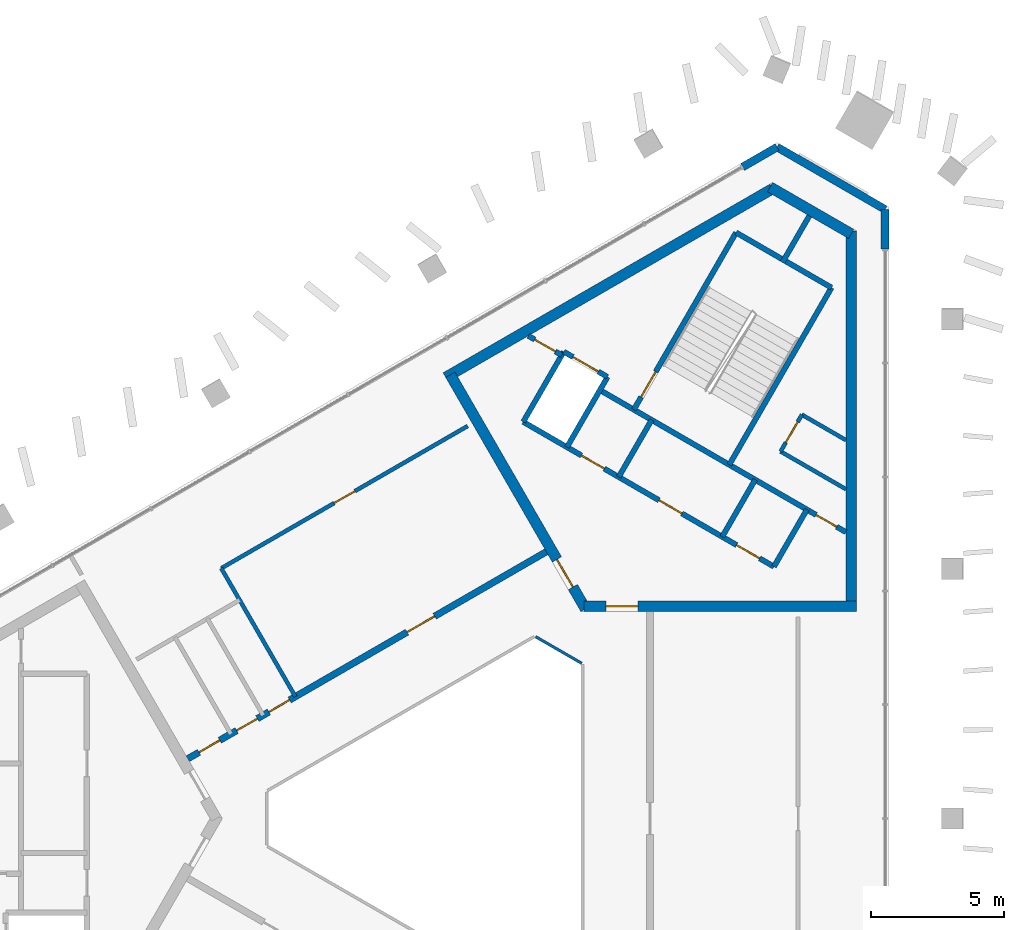
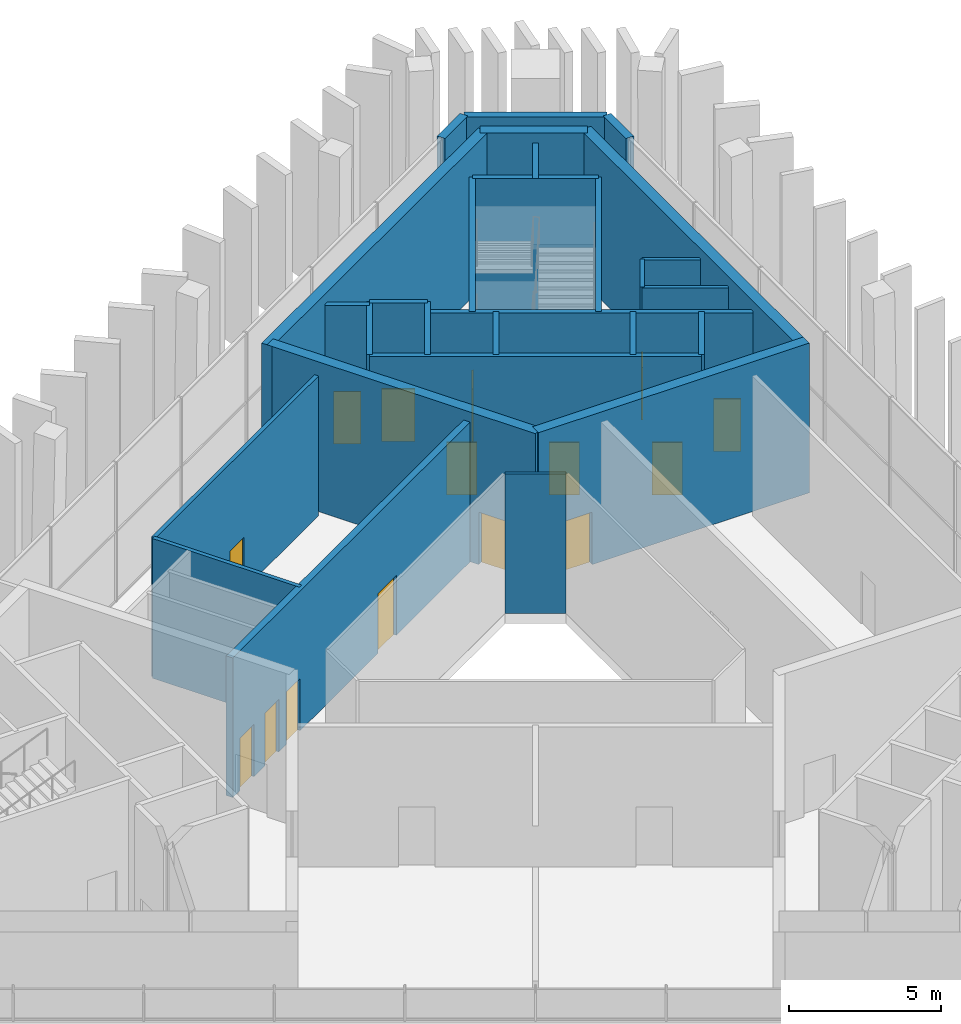
# One storey, part 9 of 12: 28 walls, 15 doors, 15 openings.
"""IFC4 building model written with IfcOpenShell, lengths in metres."""

from ifc_helpers import new_model, si_unit, direction, frame, frame_2d, origin, place, context, subcontext, project, spatial, rectangle, extrude, material, layer, layer_set, type_object, element, fill, save


model = new_model("IFC4")

# Units and contexts
model_context = context("Model", 3, precision=1e-05, world=origin(), true_north=direction((0.0, 1.0)))
body_context = subcontext(model_context, "Body", "Model", "MODEL_VIEW")
ifc_project = project(units=[si_unit("LENGTHUNIT", "METRE"), si_unit("AREAUNIT", "SQUARE_METRE"), si_unit("VOLUMEUNIT", "CUBIC_METRE"), si_unit("PLANEANGLEUNIT", "RADIAN"), si_unit("MASSUNIT", "GRAM", prefix="KILO")], contexts=[model_context])

# Site, building, storey
site_placement = place(None, origin())
site = spatial("IfcSite", under=ifc_project, at=site_placement, CompositionType="ELEMENT")
building_placement = place(site_placement, origin())
building = spatial("IfcBuilding", under=site, at=building_placement, Name="Jabali Bay Hotel Tower and Convention Centre", CompositionType="ELEMENT")
storey_placement = place(building_placement, frame((0.0, 0.0, 304.800048828125)))
storey = spatial("IfcBuildingStorey", under=building, at=storey_placement, Name="L75", CompositionType="ELEMENT", Elevation=304.800048828125)

# Walls
ifc_material_1 = material(Name="Fire-resistant glazing", Category="glass")
ifc_layer_1 = layer(ifc_material_1, 0.10009765625)
ifc_layer_set_1 = layer_set([ifc_layer_1], Name="Fire-resistant glazing")
wall_type_1 = type_object("IfcWallType", Name="Atrium glazed screen 100", PredefinedType="PARTITIONING", material=ifc_layer_set_1)
wall_1_placement = place(storey_placement, frame((79.530029296875, 85.84619140625, 0.0), z_axis=(0.0, 0.0, 1.0), x_axis=(-0.866041268327, 0.499972520799, 0.0)))
element("IfcWall", 1, at=wall_1_placement, inside=storey, type_object=wall_type_1, Name="Atrium screen 2 L75", PredefinedType="PARTITIONING", context=body_context, shape_type="SweptSolid", body=[
    extrude(rectangle(XDim=2.0, YDim=0.10009765625, at=frame_2d((1.0, 0.0))), origin(), (0.0, 0.0, 1.0), 5.599853515625),
])
ifc_material_2 = material(Name="Concrete C40", Category="concrete")
ifc_layer_2 = layer(ifc_material_2, 0.199951171875)
ifc_layer_set_2 = layer_set([ifc_layer_2], Name="Concrete C40")
wall_type_2 = type_object("IfcWallType", Name="Core partition wall 200", PredefinedType="PARTITIONING", material=ifc_layer_set_2)
wall_2_placement = place(storey_placement, frame((87.090087890625, 100.9404296875, 0.0), z_axis=(0.0, 0.0, 1.0), x_axis=(0.499941815747, 0.866058993873, 0.0)))
element("IfcWall", 2, at=wall_2_placement, inside=storey, type_object=wall_type_2, Name="Core wall 1.4 L75", PredefinedType="PARTITIONING", context=body_context, shape_type="SweptSolid", body=[
    extrude(rectangle(XDim=2.023193359375, YDim=0.199951171875, at=frame_2d((1.01171875, 0.0))), origin(), (0.0, 0.0, 1.0), 5.599853515625),
])

# Wall, opening, door
wall_3_placement = place(storey_placement, frame((78.7802734375, 97.447509765625, 0.0), z_axis=(0.0, 0.0, 1.0), x_axis=(-0.866045896294, 0.499964504253, 0.0)))
wall_3 = element("IfcWall", 3, at=wall_3_placement, inside=storey, type_object=wall_type_2, Name="Core wall 1.11 L75", PredefinedType="PARTITIONING", context=body_context, shape_type="SweptSolid", body=[
    extrude(rectangle(XDim=1.455078125, YDim=0.199951171875, at=frame_2d((0.7275390625, 0.0))), origin(), (0.0, 0.0, 1.0), 5.599853515625),
])
opening_1_placement = place(wall_3_placement, frame((0.277587890625, 0.0, 0.0)))
opening_1 = element("IfcOpeningElement", 4, at=opening_1_placement, cuts=wall_3, Name="Opening D1674", PredefinedType="OPENING", context=body_context, shape_type="SweptSolid", body=[
    extrude(rectangle(XDim=0.89990234375, YDim=2.10009765625, at=frame_2d((0.449951171875, 1.050048828125))), frame((0.0, 0.1103515625, 0.0), z_axis=(0.0, -1.0, 0.0), x_axis=(1.0, 0.0, 0.0)), (0.0, 0.0, 1.0), 0.220947265625),
])
ifc_material_3 = material(Name="Fire-rated steel door", Category="steel")
door_type_1 = type_object("IfcDoorType", Name="Vestibule fire door 900 x 2100", OperationType="NOTDEFINED", PredefinedType="NOTDEFINED", material=ifc_material_3)
door_1_placement = place(opening_1_placement, origin())
door_1 = element("IfcDoor", 5, at=door_1_placement, inside=storey, type_object=door_type_1, Name="Vestibule fire door D1674", OperationType="SINGLE_SWING_LEFT", OverallHeight=2.10009765625, OverallWidth=0.89990234375, PredefinedType="NOTDEFINED", context=body_context, shape_type="SweptSolid", body=[
    extrude(rectangle(XDim=0.89990234375, YDim=2.10009765625, at=frame_2d((0.449951171875, 1.050048828125))), frame((0.0, 0.02490234375, 0.0), z_axis=(0.0, -1.0, 0.0), x_axis=(1.0, 0.0, 0.0)), (0.0, 0.0, 1.0), 0.050048828125),
])
fill(opening_1, door_1)

ifc_material_4 = material(Name="Fire-rated board partition")
ifc_layer_3 = layer(ifc_material_4, 0.14990234375)
ifc_layer_set_3 = layer_set([ifc_layer_3], Name="Fire-rated board partition")
wall_type_3 = type_object("IfcWallType", Name="Core room partition 150", PredefinedType="PARTITIONING", material=ifc_layer_set_3)
wall_4_placement = place(storey_placement, frame((87.02099609375, 93.821044921875, 0.0), z_axis=(0.0, 0.0, 1.0), x_axis=(0.499995408039, 0.866028054938, 0.0)))
wall_4 = element("IfcWall", 6, at=wall_4_placement, inside=storey, type_object=wall_type_3, Name="Core wall 1.1 L75", PredefinedType="PARTITIONING", context=body_context, shape_type="SweptSolid", body=[
    extrude(rectangle(XDim=1.60009765625, YDim=0.14990234375, at=frame_2d((0.800048828125, 0.0))), origin(), (0.0, 0.0, 1.0), 5.599853515625),
])
opening_2_placement = place(wall_4_placement, frame((0.387451171875, 0.0, 0.0)))
opening_2 = element("IfcOpeningElement", 7, at=opening_2_placement, cuts=wall_4, Name="Opening D1677", PredefinedType="OPENING", context=body_context, shape_type="SweptSolid", body=[
    extrude(rectangle(XDim=0.89990234375, YDim=2.10009765625, at=frame_2d((0.449951171875, 1.050048828125))), frame((0.0, 0.08544921875, 0.0), z_axis=(0.0, -1.0, 0.0), x_axis=(1.0, 0.0, 0.0)), (0.0, 0.0, 1.0), 0.1708984375),
])
door_type_2 = type_object("IfcDoorType", Name="Core room door 900 x 2100", OperationType="NOTDEFINED", PredefinedType="NOTDEFINED", material=ifc_material_3)
door_2_placement = place(opening_2_placement, origin())
door_2 = element("IfcDoor", 8, at=door_2_placement, inside=storey, type_object=door_type_2, Name="Core room door D1677", OperationType="SINGLE_SWING_LEFT", OverallHeight=2.10009765625, OverallWidth=0.89990234375, PredefinedType="NOTDEFINED", context=body_context, shape_type="SweptSolid", body=[
    extrude(rectangle(XDim=0.89990234375, YDim=2.10009765625, at=frame_2d((0.449951171875, 1.050048828125))), frame((0.0, 0.02490234375, 0.0), z_axis=(0.0, -1.0, 0.0), x_axis=(1.0, 0.0, 0.0)), (0.0, 0.0, 1.0), 0.050048828125),
])
fill(opening_2, door_2)

# Walls
wall_5_placement = place(storey_placement, frame((89.47998046875, 92.4013671875, 0.0), z_axis=(0.0, 0.0, 1.0), x_axis=(-0.866028081176, 0.499995362593, 0.0)))
element("IfcWall", 9, at=wall_5_placement, inside=storey, type_object=wall_type_3, Name="Core wall 1.13 L75", PredefinedType="PARTITIONING", context=body_context, shape_type="SweptSolid", body=[
    extrude(rectangle(XDim=2.83935546875, YDim=0.14990234375, at=frame_2d((1.419677734375, 0.0))), origin(), (0.0, 0.0, 1.0), 5.599853515625),
])
wall_6_placement = place(storey_placement, frame((89.47998046875, 94.2490234375, 0.0), z_axis=(0.0, 0.0, 1.0), x_axis=(-0.866030650962, 0.499990911512, 0.0)))
element("IfcWall", 10, at=wall_6_placement, inside=storey, type_object=wall_type_3, Name="Core wall 1.14 L75", PredefinedType="PARTITIONING", context=body_context, shape_type="SweptSolid", body=[
    extrude(rectangle(XDim=1.91552734375, YDim=0.14990234375, at=frame_2d((0.957763671875, 0.0))), origin(), (0.0, 0.0, 1.0), 5.599853515625),
])
ifc_layer_4 = layer(ifc_material_2, 0.199951171875)
ifc_layer_set_4 = layer_set([ifc_layer_4], Name="Concrete C40")
wall_type_4 = type_object("IfcWallType", Name="Core stair wall 200", PredefinedType="SOLIDWALL", material=ifc_layer_set_4)
for number, where, z_axis, x_axis, name in (
    (11, (86.769775390625, 89.48583984375, 0.0), (0.0, 0.0, 1.0), (0.499961042966, 0.86604789447, 0.0), "Core wall 1.0 L75"),
    (12, (84.8212890625, 90.61083984375, 0.0), (0.0, 0.0, 1.0), (0.499961042966, 0.86604789447, 0.0), "Core wall 1.2 L75"),
):
    element("IfcWall", number, at=place(storey_placement, frame(where, z_axis=z_axis, x_axis=x_axis)), inside=storey, type_object=wall_type_4, Name=name, PredefinedType="SOLIDWALL", context=body_context, shape_type="SweptSolid", body=[
        extrude(rectangle(XDim=2.480224609375, YDim=0.199951171875, at=frame_2d((1.240234375, 0.0))), origin(), (0.0, 0.0, 1.0), 5.599853515625),
    ])
wall_7_placement = place(storey_placement, frame((85.0869140625, 93.3212890625, 0.0), z_axis=(0.0, 0.0, 1.0), x_axis=(0.500019787375, 0.866013979237, 0.0)))
element("IfcWall", 13, at=wall_7_placement, inside=storey, type_object=wall_type_4, Name="Core wall 1.3 L75", PredefinedType="SOLIDWALL", context=body_context, shape_type="SweptSolid", body=[
    extrude(rectangle(XDim=7.699951171875, YDim=0.199951171875, at=frame_2d((3.85009765625, 0.0))), origin(), (0.0, 0.0, 1.0), 5.599853515625),
])
wall_8_placement = place(storey_placement, frame((80.924072265625, 92.86083984375, 0.0), z_axis=(0.0, 0.0, 1.0), x_axis=(0.499961042966, 0.86604789447, 0.0)))
element("IfcWall", 14, at=wall_8_placement, inside=storey, type_object=wall_type_4, Name="Core wall 1.5 L75", PredefinedType="SOLIDWALL", context=body_context, shape_type="SweptSolid", body=[
    extrude(rectangle(XDim=2.480224609375, YDim=0.199951171875, at=frame_2d((1.240234375, 0.0))), origin(), (0.0, 0.0, 1.0), 5.599853515625),
])

# Wall, opening, door
wall_9_placement = place(storey_placement, frame((81.492919921875, 95.396240234375, 0.0), z_axis=(0.0, 0.0, 1.0), x_axis=(0.500006057782, 0.866021906294, 0.0)))
wall_9 = element("IfcWall", 15, at=wall_9_placement, inside=storey, type_object=wall_type_4, Name="Core wall 1.6 L75", PredefinedType="SOLIDWALL", context=body_context, shape_type="SweptSolid", body=[
    extrude(rectangle(XDim=7.7001953125, YDim=0.199951171875, at=frame_2d((3.85009765625, 0.0))), origin(), (0.0, 0.0, 1.0), 5.599853515625),
])
opening_3_placement = place(wall_9_placement, frame((0.550048828125, 0.0, 0.0)))
opening_3 = element("IfcOpeningElement", 16, at=opening_3_placement, cuts=wall_9, Name="Opening D1676", PredefinedType="OPENING", context=body_context, shape_type="SweptSolid", body=[
    extrude(rectangle(XDim=1.10009765625, YDim=2.10009765625, at=frame_2d((0.550048828125, 1.050048828125))), frame((0.0, 0.1103515625, 0.0), z_axis=(0.0, -1.0, 0.0), x_axis=(1.0, 0.0, 0.0)), (0.0, 0.0, 1.0), 0.220947265625),
])
door_type_3 = type_object("IfcDoorType", Name="Stair fire door 1100 x 2100", OperationType="NOTDEFINED", PredefinedType="NOTDEFINED", material=ifc_material_3)
door_3_placement = place(opening_3_placement, origin())
door_3 = element("IfcDoor", 17, at=door_3_placement, inside=storey, type_object=door_type_3, Name="Stair fire door D1676", OperationType="SINGLE_SWING_RIGHT", OverallHeight=2.10009765625, OverallWidth=1.10009765625, PredefinedType="NOTDEFINED", context=body_context, shape_type="SweptSolid", body=[
    extrude(rectangle(XDim=1.10009765625, YDim=2.10009765625, at=frame_2d((0.550048828125, 1.050048828125))), frame((0.0, 0.02490234375, 0.0), z_axis=(0.0, -1.0, 0.0), x_axis=(1.0, 0.0, 0.0)), (0.0, 0.0, 1.0), 0.050048828125),
])
fill(opening_3, door_3)

# Walls
for number, where, z_axis, x_axis, name in (
    (18, (78.9755859375, 93.98583984375, 0.0), (0.0, 0.0, 1.0), (0.499944174705, 0.866057632134, 0.0), "Core wall 1.7 L75"),
    (19, (77.330078125, 94.93603515625, 0.0), (0.0, 0.0, 1.0), (0.500038867431, 0.8660029625, 0.0), "Core wall 1.8 L75"),
):
    element("IfcWall", number, at=place(storey_placement, frame(where, z_axis=z_axis, x_axis=x_axis)), inside=storey, type_object=wall_type_4, Name=name, PredefinedType="SOLIDWALL", context=body_context, shape_type="SweptSolid", body=[
        extrude(rectangle(XDim=3.050048828125, YDim=0.199951171875, at=frame_2d((1.52490234375, 0.0))), origin(), (0.0, 0.0, 1.0), 5.599853515625),
    ])

# Wall, openings, doors
wall_10_placement = place(storey_placement, frame((86.769775390625, 89.48583984375, 0.0), z_axis=(0.0, 0.0, 1.0), x_axis=(-0.86601811187, 0.500012629753, 0.0)))
wall_10 = element("IfcWall", 20, at=wall_10_placement, inside=storey, type_object=wall_type_4, Name="Core wall 1.9 L75", PredefinedType="SOLIDWALL", context=body_context, shape_type="SweptSolid", body=[
    extrude(rectangle(XDim=10.900146484375, YDim=0.199951171875, at=frame_2d((5.4501953125, 0.0))), origin(), (0.0, 0.0, 1.0), 5.599853515625),
])
opening_4_placement = place(wall_10_placement, frame((0.625, 0.0, 0.0)))
opening_4 = element("IfcOpeningElement", 21, at=opening_4_placement, cuts=wall_10, Name="Opening D1671", PredefinedType="OPENING", context=body_context, shape_type="SweptSolid", body=[
    extrude(rectangle(XDim=1.0, YDim=2.10009765625, at=frame_2d((0.5, 1.050048828125))), frame((0.0, 0.1103515625, 0.0), z_axis=(0.0, -1.0, 0.0), x_axis=(1.0, 0.0, 0.0)), (0.0, 0.0, 1.0), 0.220947265625),
])
opening_5_placement = place(wall_10_placement, frame((4.0, 0.0, 0.0)))
opening_5 = element("IfcOpeningElement", 22, at=opening_5_placement, cuts=wall_10, Name="Opening D1672", PredefinedType="OPENING", context=body_context, shape_type="SweptSolid", body=[
    extrude(rectangle(XDim=1.0, YDim=2.10009765625, at=frame_2d((0.5, 1.050048828125))), frame((0.0, 0.1103515625, 0.0), z_axis=(0.0, -1.0, 0.0), x_axis=(1.0, 0.0, 0.0)), (0.0, 0.0, 1.0), 0.220947265625),
])
opening_6_placement = place(wall_10_placement, frame((7.375, 0.0, 0.0)))
opening_6 = element("IfcOpeningElement", 23, at=opening_6_placement, cuts=wall_10, Name="Opening D1673", PredefinedType="OPENING", context=body_context, shape_type="SweptSolid", body=[
    extrude(rectangle(XDim=1.0, YDim=2.10009765625, at=frame_2d((0.5, 1.050048828125))), frame((0.0, 0.1103515625, 0.0), z_axis=(0.0, -1.0, 0.0), x_axis=(1.0, 0.0, 0.0)), (0.0, 0.0, 1.0), 0.220947265625),
])
door_type_4 = type_object("IfcDoorType", Name="Core room door 1000 x 2100", OperationType="NOTDEFINED", PredefinedType="NOTDEFINED", material=ifc_material_3)
door_4_placement = place(opening_4_placement, origin())
door_4 = element("IfcDoor", 24, at=door_4_placement, inside=storey, type_object=door_type_4, Name="Core room door D1671", OperationType="SINGLE_SWING_RIGHT", OverallHeight=2.10009765625, OverallWidth=1.0, PredefinedType="NOTDEFINED", context=body_context, shape_type="SweptSolid", body=[
    extrude(rectangle(XDim=1.0, YDim=2.10009765625, at=frame_2d((0.5, 1.050048828125))), frame((0.0, 0.02490234375, 0.0), z_axis=(0.0, -1.0, 0.0), x_axis=(1.0, 0.0, 0.0)), (0.0, 0.0, 1.0), 0.050048828125),
])
fill(opening_4, door_4)
door_5_placement = place(opening_5_placement, origin())
door_5 = element("IfcDoor", 25, at=door_5_placement, inside=storey, type_object=door_type_4, Name="Core room door D1672", OperationType="SINGLE_SWING_RIGHT", OverallHeight=2.10009765625, OverallWidth=1.0, PredefinedType="NOTDEFINED", context=body_context, shape_type="SweptSolid", body=[
    extrude(rectangle(XDim=1.0, YDim=2.10009765625, at=frame_2d((0.5, 1.050048828125))), frame((0.0, 0.02490234375, 0.0), z_axis=(0.0, -1.0, 0.0), x_axis=(1.0, 0.0, 0.0)), (0.0, 0.0, 1.0), 0.050048828125),
])
fill(opening_5, door_5)
door_6_placement = place(opening_6_placement, origin())
door_6 = element("IfcDoor", 26, at=door_6_placement, inside=storey, type_object=door_type_4, Name="Core room door D1673", OperationType="SINGLE_SWING_RIGHT", OverallHeight=2.10009765625, OverallWidth=1.0, PredefinedType="NOTDEFINED", context=body_context, shape_type="SweptSolid", body=[
    extrude(rectangle(XDim=1.0, YDim=2.10009765625, at=frame_2d((0.5, 1.050048828125))), frame((0.0, 0.02490234375, 0.0), z_axis=(0.0, -1.0, 0.0), x_axis=(1.0, 0.0, 0.0)), (0.0, 0.0, 1.0), 0.050048828125),
])
fill(opening_6, door_6)

# Wall, opening, door
wall_11_placement = place(storey_placement, frame((89.47998046875, 90.784912109375, 0.0), z_axis=(0.0, 0.0, 1.0), x_axis=(-0.866022544512, 0.500004952373, 0.0)))
wall_11 = element("IfcWall", 27, at=wall_11_placement, inside=storey, type_object=wall_type_4, Name="Core wall 1.10 L75", PredefinedType="SOLIDWALL", context=body_context, shape_type="SweptSolid", body=[
    extrude(rectangle(XDim=10.69775390625, YDim=0.199951171875, at=frame_2d((5.348876953125, 0.0))), origin(), (0.0, 0.0, 1.0), 5.599853515625),
])
opening_7_placement = place(wall_11_placement, frame((0.398681640625, 0.0, 0.0)))
opening_7 = element("IfcOpeningElement", 28, at=opening_7_placement, cuts=wall_11, Name="Opening D1675", PredefinedType="OPENING", context=body_context, shape_type="SweptSolid", body=[
    extrude(rectangle(XDim=0.89990234375, YDim=2.10009765625, at=frame_2d((0.449951171875, 1.050048828125))), frame((0.0, 0.1103515625, 0.0), z_axis=(0.0, -1.0, 0.0), x_axis=(1.0, 0.0, 0.0)), (0.0, 0.0, 1.0), 0.220947265625),
])
door_7_placement = place(opening_7_placement, origin())
door_7 = element("IfcDoor", 29, at=door_7_placement, inside=storey, type_object=door_type_1, Name="Vestibule fire door D1675", OperationType="SINGLE_SWING_LEFT", OverallHeight=2.10009765625, OverallWidth=0.89990234375, PredefinedType="NOTDEFINED", context=body_context, shape_type="SweptSolid", body=[
    extrude(rectangle(XDim=0.89990234375, YDim=2.10009765625, at=frame_2d((0.449951171875, 1.050048828125))), frame((0.0, 0.02490234375, 0.0), z_axis=(0.0, -1.0, 0.0), x_axis=(1.0, 0.0, 0.0)), (0.0, 0.0, 1.0), 0.050048828125),
])
fill(opening_7, door_7)

wall_12_placement = place(storey_placement, frame((80.50048828125, 96.62744140625, 0.0), z_axis=(0.0, 0.0, 1.0), x_axis=(-0.86601224135, 0.500022797313, 0.0)))
wall_12 = element("IfcWall", 30, at=wall_12_placement, inside=storey, type_object=wall_type_4, Name="Core wall 1.12 L75", PredefinedType="SOLIDWALL", context=body_context, shape_type="SweptSolid", body=[
    extrude(rectangle(XDim=1.89990234375, YDim=0.199951171875, at=frame_2d((0.949951171875, 0.0))), origin(), (0.0, 0.0, 1.0), 5.599853515625),
])
opening_8_placement = place(wall_12_placement, frame((0.39990234375, 0.0, 0.0)))
opening_8 = element("IfcOpeningElement", 31, at=opening_8_placement, cuts=wall_12, Name="Opening LD10-L75", PredefinedType="OPENING", context=body_context, shape_type="SweptSolid", body=[
    extrude(rectangle(XDim=1.10009765625, YDim=2.10009765625, at=frame_2d((0.550048828125, 1.050048828125))), frame((0.0, 0.1103515625, 0.0), z_axis=(0.0, -1.0, 0.0), x_axis=(1.0, 0.0, 0.0)), (0.0, 0.0, 1.0), 0.220947265625),
])
ifc_material_5 = material(Name="Stainless steel landing door", Category="steel")
door_type_5 = type_object("IfcDoorType", Name="Landing door 1100 x 2100", OperationType="NOTDEFINED", PredefinedType="NOTDEFINED", material=ifc_material_5)
door_8_placement = place(opening_8_placement, origin())
door_8 = element("IfcDoor", 32, at=door_8_placement, inside=storey, type_object=door_type_5, Name="Landing doors LD10-L75", OperationType="SLIDING_TO_RIGHT", OverallHeight=2.10009765625, OverallWidth=1.10009765625, PredefinedType="NOTDEFINED", context=body_context, shape_type="SweptSolid", body=[
    extrude(rectangle(XDim=1.10009765625, YDim=2.10009765625, at=frame_2d((0.550048828125, 1.050048828125))), frame((0.0, 0.02490234375, 0.0), z_axis=(0.0, -1.0, 0.0), x_axis=(1.0, 0.0, 0.0)), (0.0, 0.0, 1.0), 0.050048828125),
])
fill(opening_8, door_8)

# Wall
wall_13_placement = place(storey_placement, frame((88.93701171875, 99.989501953125, 0.0), z_axis=(0.0, 0.0, 1.0), x_axis=(-0.866004344652, 0.500036473714, 0.0)))
element("IfcWall", 33, at=wall_13_placement, inside=storey, type_object=wall_type_4, Name="Core wall 1.15 L75", PredefinedType="SOLIDWALL", context=body_context, shape_type="SweptSolid", body=[
    extrude(rectangle(XDim=4.150146484375, YDim=0.199951171875, at=frame_2d((2.0751953125, 0.0))), origin(), (0.0, 0.0, 1.0), 5.599853515625),
])

# Wall, opening, door
ifc_material_6 = material(Name="Concrete C60", Category="concrete")
ifc_layer_5 = layer(ifc_material_6, 0.39990234375)
ifc_layer_set_5 = layer_set([ifc_layer_5], Name="Concrete C60")
wall_type_5 = type_object("IfcWallType", Name="Core wall 400", PredefinedType="SHEAR", material=ifc_layer_set_5)
wall_14_placement = place(storey_placement, frame((79.615478515625, 87.994140625, 0.0), z_axis=(0.0, 0.0, 1.0), x_axis=(1.0, 0.0, 0.0)))
wall_14 = element("IfcWall", 34, at=wall_14_placement, inside=storey, type_object=wall_type_5, Name="Core wall 2.1 L75", PredefinedType="SHEAR", context=body_context, shape_type="SweptSolid", body=[
    extrude(rectangle(XDim=10.264404296875, YDim=0.39990234375, at=frame_2d((5.13232421875, 0.0))), origin(), (0.0, 0.0, 1.0), 6.0),
])
opening_9_placement = place(wall_14_placement, frame((0.83447265625, 0.0, 0.0)))
opening_9 = element("IfcOpeningElement", 35, at=opening_9_placement, cuts=wall_14, Name="Opening D1669", PredefinedType="OPENING", context=body_context, shape_type="SweptSolid", body=[
    extrude(rectangle(XDim=1.199951171875, YDim=2.10009765625, at=frame_2d((0.60009765625, 1.050048828125))), frame((0.0, 0.21044921875, 0.0), z_axis=(0.0, -1.0, 0.0), x_axis=(1.0, 0.0, 0.0)), (0.0, 0.0, 1.0), 0.4208984375),
])
door_type_6 = type_object("IfcDoorType", Name="Corridor end fire door 1200 x 2100", OperationType="NOTDEFINED", PredefinedType="NOTDEFINED", material=ifc_material_3)
door_9_placement = place(opening_9_placement, origin())
door_9 = element("IfcDoor", 36, at=door_9_placement, inside=storey, type_object=door_type_6, Name="Corridor end fire door D1669", OperationType="SINGLE_SWING_RIGHT", OverallHeight=2.10009765625, OverallWidth=1.199951171875, PredefinedType="NOTDEFINED", context=body_context, shape_type="SweptSolid", body=[
    extrude(rectangle(XDim=1.199951171875, YDim=2.10009765625, at=frame_2d((0.60009765625, 1.050048828125))), frame((0.0, 0.02490234375, 0.0), z_axis=(0.0, -1.0, 0.0), x_axis=(1.0, 0.0, 0.0)), (0.0, 0.0, 1.0), 0.050048828125),
])
fill(opening_9, door_9)

# Walls
wall_15_placement = place(storey_placement, frame((89.679931640625, 87.994140625, 0.0), z_axis=(0.0, 0.0, 1.0), x_axis=(0.0, 1.0, 0.0)))
element("IfcWall", 37, at=wall_15_placement, inside=storey, type_object=wall_type_5, Name="Core wall 2.2 L75", PredefinedType="SHEAR", context=body_context, shape_type="SweptSolid", body=[
    extrude(rectangle(XDim=14.133544921875, YDim=0.39990234375, at=frame_2d((7.06689453125, 0.0))), origin(), (0.0, 0.0, 1.0), 6.0),
])
wall_16_placement = place(storey_placement, frame((89.679931640625, 102.01220703125, 0.0), z_axis=(0.0, 0.0, 1.0), x_axis=(-0.866025485263, 0.499999858875, 0.0)))
element("IfcWall", 38, at=wall_16_placement, inside=storey, type_object=wall_type_5, Name="Core wall 2.3 L75", PredefinedType="SHEAR", context=body_context, shape_type="SweptSolid", body=[
    extrude(rectangle(XDim=3.52978515625, YDim=0.39990234375, at=frame_2d((1.764892578125, 0.0))), origin(), (0.0, 0.0, 1.0), 6.0),
])
wall_17_placement = place(storey_placement, frame((86.72314453125, 103.71923828125, 0.0), z_axis=(0.0, 0.0, 1.0), x_axis=(-0.866030317223, -0.499991489579, 0.0)))
element("IfcWall", 39, at=wall_17_placement, inside=storey, type_object=wall_type_5, Name="Core wall 2.4 L75", PredefinedType="SHEAR", context=body_context, shape_type="SweptSolid", body=[
    extrude(rectangle(XDim=14.218017578125, YDim=0.39990234375, at=frame_2d((7.10888671875, 0.0))), origin(), (0.0, 0.0, 1.0), 6.0),
])

# Wall, opening, door
wall_18_placement = place(storey_placement, frame((74.583251953125, 96.71044921875, 0.0), z_axis=(0.0, 0.0, 1.0), x_axis=(0.499987488796, -0.866032627011, 0.0)))
wall_18 = element("IfcWall", 40, at=wall_18_placement, inside=storey, type_object=wall_type_5, Name="Core wall 2.5 L75", PredefinedType="SHEAR", context=body_context, shape_type="SweptSolid", body=[
    extrude(rectangle(XDim=10.179931640625, YDim=0.39990234375, at=frame_2d((5.08984375, 0.0))), origin(), (0.0, 0.0, 1.0), 6.0),
])
opening_10_placement = place(wall_18_placement, frame((8.030029296875, 0.0, 0.0)))
opening_10 = element("IfcOpeningElement", 41, at=opening_10_placement, cuts=wall_18, Name="Opening D1670", PredefinedType="OPENING", context=body_context, shape_type="SweptSolid", body=[
    extrude(rectangle(XDim=1.199951171875, YDim=2.10009765625, at=frame_2d((0.60009765625, 1.050048828125))), frame((0.0, 0.21044921875, 0.0), z_axis=(0.0, -1.0, 0.0), x_axis=(1.0, 0.0, 0.0)), (0.0, 0.0, 1.0), 0.4208984375),
])
door_10_placement = place(opening_10_placement, origin())
door_10 = element("IfcDoor", 42, at=door_10_placement, inside=storey, type_object=door_type_6, Name="Corridor end fire door D1670", OperationType="SINGLE_SWING_LEFT", OverallHeight=2.10009765625, OverallWidth=1.199951171875, PredefinedType="NOTDEFINED", context=body_context, shape_type="SweptSolid", body=[
    extrude(rectangle(XDim=1.199951171875, YDim=2.10009765625, at=frame_2d((0.60009765625, 1.050048828125))), frame((0.0, 0.02490234375, 0.0), z_axis=(0.0, -1.0, 0.0), x_axis=(1.0, 0.0, 0.0)), (0.0, 0.0, 1.0), 0.050048828125),
])
fill(opening_10, door_10)

# Wall, openings, doors
ifc_layer_6 = layer(ifc_material_6, 0.25)
ifc_layer_set_6 = layer_set([ifc_layer_6], Name="Concrete C60")
wall_type_6 = type_object("IfcWallType", Name="Corridor wall 250", PredefinedType="SHEAR", material=ifc_layer_set_6)
wall_19_placement = place(storey_placement, frame((78.199951171875, 90.0458984375, 0.0), z_axis=(0.0, 0.0, 1.0), x_axis=(-0.866026492143, -0.499998114903, 0.0)))
wall_19 = element("IfcWall", 43, at=wall_19_placement, inside=storey, type_object=wall_type_6, Name="Corridor wall 2 L75", PredefinedType="SHEAR", context=body_context, shape_type="SweptSolid", body=[
    extrude(rectangle(XDim=15.58837890625, YDim=0.25, at=frame_2d((7.794189453125, 0.0))), origin(), (0.0, 0.0, 1.0), 5.599853515625),
])
opening_11_placement = place(wall_19_placement, frame((4.85595703125, 0.0, 0.0)))
opening_11 = element("IfcOpeningElement", 44, at=opening_11_placement, cuts=wall_19, Name="Opening 7503", PredefinedType="OPENING", context=body_context, shape_type="SweptSolid", body=[
    extrude(rectangle(XDim=1.199951171875, YDim=2.39990234375, at=frame_2d((0.60009765625, 1.199951171875))), frame((0.0, 0.135498046875, 0.0), z_axis=(0.0, -1.0, 0.0), x_axis=(1.0, 0.0, 0.0)), (0.0, 0.0, 1.0), 0.27099609375),
])
opening_12_placement = place(wall_19_placement, frame((11.163330078125, 0.0, 0.0)))
opening_12 = element("IfcOpeningElement", 45, at=opening_12_placement, cuts=wall_19, Name="Opening 7505", PredefinedType="OPENING", context=body_context, shape_type="SweptSolid", body=[
    extrude(rectangle(XDim=0.89990234375, YDim=2.10009765625, at=frame_2d((0.449951171875, 1.050048828125))), frame((0.0, 0.135498046875, 0.0), z_axis=(0.0, -1.0, 0.0), x_axis=(1.0, 0.0, 0.0)), (0.0, 0.0, 1.0), 0.27099609375),
])
opening_13_placement = place(wall_19_placement, frame((12.56640625, 0.0, 0.0)))
opening_13 = element("IfcOpeningElement", 46, at=opening_13_placement, cuts=wall_19, Name="Opening 7506", PredefinedType="OPENING", context=body_context, shape_type="SweptSolid", body=[
    extrude(rectangle(XDim=0.89990234375, YDim=2.10009765625, at=frame_2d((0.449951171875, 1.050048828125))), frame((0.0, 0.135498046875, 0.0), z_axis=(0.0, -1.0, 0.0), x_axis=(1.0, 0.0, 0.0)), (0.0, 0.0, 1.0), 0.27099609375),
])
opening_14_placement = place(wall_19_placement, frame((14.203125, 0.0, 0.0)))
opening_14 = element("IfcOpeningElement", 47, at=opening_14_placement, cuts=wall_19, Name="Opening 7507", PredefinedType="OPENING", context=body_context, shape_type="SweptSolid", body=[
    extrude(rectangle(XDim=0.89990234375, YDim=2.10009765625, at=frame_2d((0.449951171875, 1.050048828125))), frame((0.0, 0.135498046875, 0.0), z_axis=(0.0, -1.0, 0.0), x_axis=(1.0, 0.0, 0.0)), (0.0, 0.0, 1.0), 0.27099609375),
])
ifc_material_7 = material(Name="Timber", Category="wood")
door_type_7 = type_object("IfcDoorType", Name="Accessible en-suite door 900 x 2100", OperationType="NOTDEFINED", PredefinedType="NOTDEFINED", material=ifc_material_7)
door_11_placement = place(opening_14_placement, origin())
door_11 = element("IfcDoor", 48, at=door_11_placement, inside=storey, type_object=door_type_7, Name="Door 7507", OperationType="SINGLE_SWING_RIGHT", OverallHeight=2.10009765625, OverallWidth=0.89990234375, PredefinedType="NOTDEFINED", context=body_context, shape_type="SweptSolid", body=[
    extrude(rectangle(XDim=0.89990234375, YDim=2.10009765625, at=frame_2d((0.449951171875, 1.050048828125))), frame((0.0, 0.02490234375, 0.0), z_axis=(0.0, -1.0, 0.0), x_axis=(1.0, 0.0, 0.0)), (0.0, 0.0, 1.0), 0.050048828125),
])
fill(opening_14, door_11)
door_type_8 = type_object("IfcDoorType", Name="Internal door 900 x 2100", OperationType="NOTDEFINED", PredefinedType="NOTDEFINED", material=ifc_material_7)
door_12_placement = place(opening_12_placement, origin())
door_12 = element("IfcDoor", 49, at=door_12_placement, inside=storey, type_object=door_type_8, Name="Door 7505", OperationType="SINGLE_SWING_RIGHT", OverallHeight=2.10009765625, OverallWidth=0.89990234375, PredefinedType="NOTDEFINED", context=body_context, shape_type="SweptSolid", body=[
    extrude(rectangle(XDim=0.89990234375, YDim=2.10009765625, at=frame_2d((0.449951171875, 1.050048828125))), frame((0.0, 0.02490234375, 0.0), z_axis=(0.0, -1.0, 0.0), x_axis=(1.0, 0.0, 0.0)), (0.0, 0.0, 1.0), 0.050048828125),
])
fill(opening_12, door_12)
door_13_placement = place(opening_13_placement, origin())
door_13 = element("IfcDoor", 50, at=door_13_placement, inside=storey, type_object=door_type_8, Name="Door 7506", OperationType="SINGLE_SWING_RIGHT", OverallHeight=2.10009765625, OverallWidth=0.89990234375, PredefinedType="NOTDEFINED", context=body_context, shape_type="SweptSolid", body=[
    extrude(rectangle(XDim=0.89990234375, YDim=2.10009765625, at=frame_2d((0.449951171875, 1.050048828125))), frame((0.0, 0.02490234375, 0.0), z_axis=(0.0, -1.0, 0.0), x_axis=(1.0, 0.0, 0.0)), (0.0, 0.0, 1.0), 0.050048828125),
])
fill(opening_13, door_13)
door_type_9 = type_object("IfcDoorType", Name="Public room door 1200 x 2400", OperationType="NOTDEFINED", PredefinedType="NOTDEFINED", material=ifc_material_7)
door_14_placement = place(opening_11_placement, origin())
door_14 = element("IfcDoor", 51, at=door_14_placement, inside=storey, type_object=door_type_9, Name="Door 7503", OperationType="SINGLE_SWING_LEFT", OverallHeight=2.39990234375, OverallWidth=1.199951171875, PredefinedType="NOTDEFINED", context=body_context, shape_type="SweptSolid", body=[
    extrude(rectangle(XDim=1.199951171875, YDim=2.39990234375, at=frame_2d((0.60009765625, 1.199951171875))), frame((0.0, 0.02490234375, 0.0), z_axis=(0.0, -1.0, 0.0), x_axis=(1.0, 0.0, 0.0)), (0.0, 0.0, 1.0), 0.050048828125),
])
fill(opening_11, door_14)

# Walls
ifc_layer_7 = layer(ifc_material_2, 0.300048828125)
ifc_layer_set_7 = layer_set([ifc_layer_7], Name="Concrete C40")
wall_type_7 = type_object("IfcWallType", Name="External wall 300", PredefinedType="SOLIDWALL", material=ifc_layer_set_7)
wall_20_placement = place(storey_placement, frame((86.888427734375, 105.28369140625, 0.0), z_axis=(0.0, 0.0, 1.0), x_axis=(0.866025296335, -0.500000186108, 0.0)))
element("IfcWall", 52, at=wall_20_placement, inside=storey, type_object=wall_type_7, Name="External wall north-east chamfer L75", PredefinedType="SOLIDWALL", context=body_context, shape_type="SweptSolid", body=[
    extrude(rectangle(XDim=4.6923828125, YDim=0.300048828125, at=frame_2d((2.34619140625, 0.0))), origin(), (0.0, 0.0, 1.0), 5.599853515625),
])
for number, where, z_axis, x_axis, name in (
    (53, (90.9521484375, 102.9375, 0.0), (0.0, 0.0, 1.0), (0.0, -1.0, 0.0), "External wall east face L75"),
    (54, (85.58935546875, 104.53369140625, 0.0), (0.0, 0.0, 1.0), (0.866031096941, 0.499990139034, 0.0), "External wall north-west face L75"),
):
    element("IfcWall", number, at=place(storey_placement, frame(where, z_axis=z_axis, x_axis=x_axis)), inside=storey, type_object=wall_type_7, Name=name, PredefinedType="SOLIDWALL", context=body_context, shape_type="SweptSolid", body=[
        extrude(rectangle(XDim=1.5, YDim=0.300048828125, at=frame_2d((0.75, 0.0))), origin(), (0.0, 0.0, 1.0), 5.599853515625),
    ])

# Wall, opening, door
ifc_material_8 = material(Name="Plasterboard on steel stud", Category="steel")
ifc_layer_8 = layer(ifc_material_8, 0.14990234375)
ifc_layer_set_8 = layer_set([ifc_layer_8], Name="Plasterboard on steel stud")
wall_type_8 = type_object("IfcWallType", Name="Partition 150 wet", PredefinedType="PARTITIONING", material=ifc_layer_set_8)
wall_21_placement = place(storey_placement, frame((75.237060546875, 94.780029296875, 0.0), z_axis=(0.0, 0.0, 1.0), x_axis=(-0.866026938686, -0.499997341463, 0.0)))
wall_21 = element("IfcWall", 55, at=wall_21_placement, inside=storey, type_object=wall_type_8, Name="Partition P03 L75 002", PredefinedType="PARTITIONING", context=body_context, shape_type="SweptSolid", body=[
    extrude(rectangle(XDim=10.7119140625, YDim=0.14990234375, at=frame_2d((5.35595703125, 0.0))), origin(), (0.0, 0.0, 1.0), 5.599853515625),
])
opening_15_placement = place(wall_21_placement, frame((4.906005859375, 0.0, 0.0)))
opening_15 = element("IfcOpeningElement", 56, at=opening_15_placement, cuts=wall_21, Name="Opening 7504", PredefinedType="OPENING", context=body_context, shape_type="SweptSolid", body=[
    extrude(rectangle(XDim=0.89990234375, YDim=2.10009765625, at=frame_2d((0.449951171875, 1.050048828125))), frame((0.0, 0.08544921875, 0.0), z_axis=(0.0, -1.0, 0.0), x_axis=(1.0, 0.0, 0.0)), (0.0, 0.0, 1.0), 0.1708984375),
])
door_15_placement = place(opening_15_placement, origin())
door_15 = element("IfcDoor", 57, at=door_15_placement, inside=storey, type_object=door_type_8, Name="Door 7504", OperationType="SINGLE_SWING_RIGHT", OverallHeight=2.10009765625, OverallWidth=0.89990234375, PredefinedType="NOTDEFINED", context=body_context, shape_type="SweptSolid", body=[
    extrude(rectangle(XDim=0.89990234375, YDim=2.10009765625, at=frame_2d((0.449951171875, 1.050048828125))), frame((0.0, 0.02490234375, 0.0), z_axis=(0.0, -1.0, 0.0), x_axis=(1.0, 0.0, 0.0)), (0.0, 0.0, 1.0), 0.050048828125),
])
fill(opening_15, door_15)

# Wall
wall_22_placement = place(storey_placement, frame((65.960205078125, 89.424072265625, 0.0), z_axis=(0.0, 0.0, 1.0), x_axis=(0.499832264019, -0.866122224542, 0.0)))
element("IfcWall", 58, at=wall_22_placement, inside=storey, type_object=wall_type_8, Name="Partition P03 L75 003", PredefinedType="PARTITIONING", context=body_context, shape_type="SweptSolid", body=[
    extrude(rectangle(XDim=5.58154296875, YDim=0.14990234375, at=frame_2d((2.790771484375, 0.0))), origin(), (0.0, 0.0, 1.0), 5.599853515625),
])

save(model, "model.ifc")
